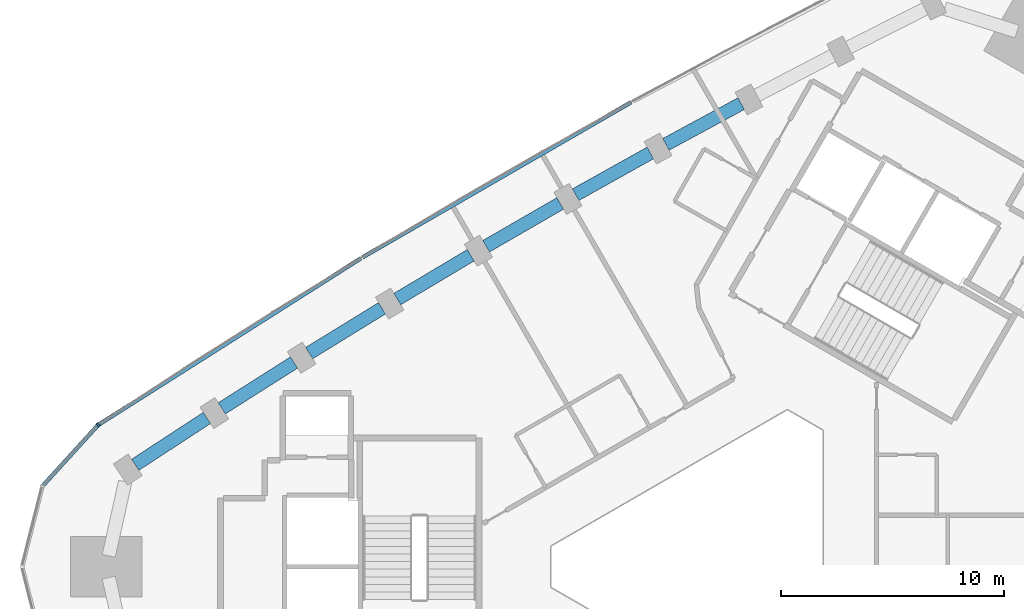
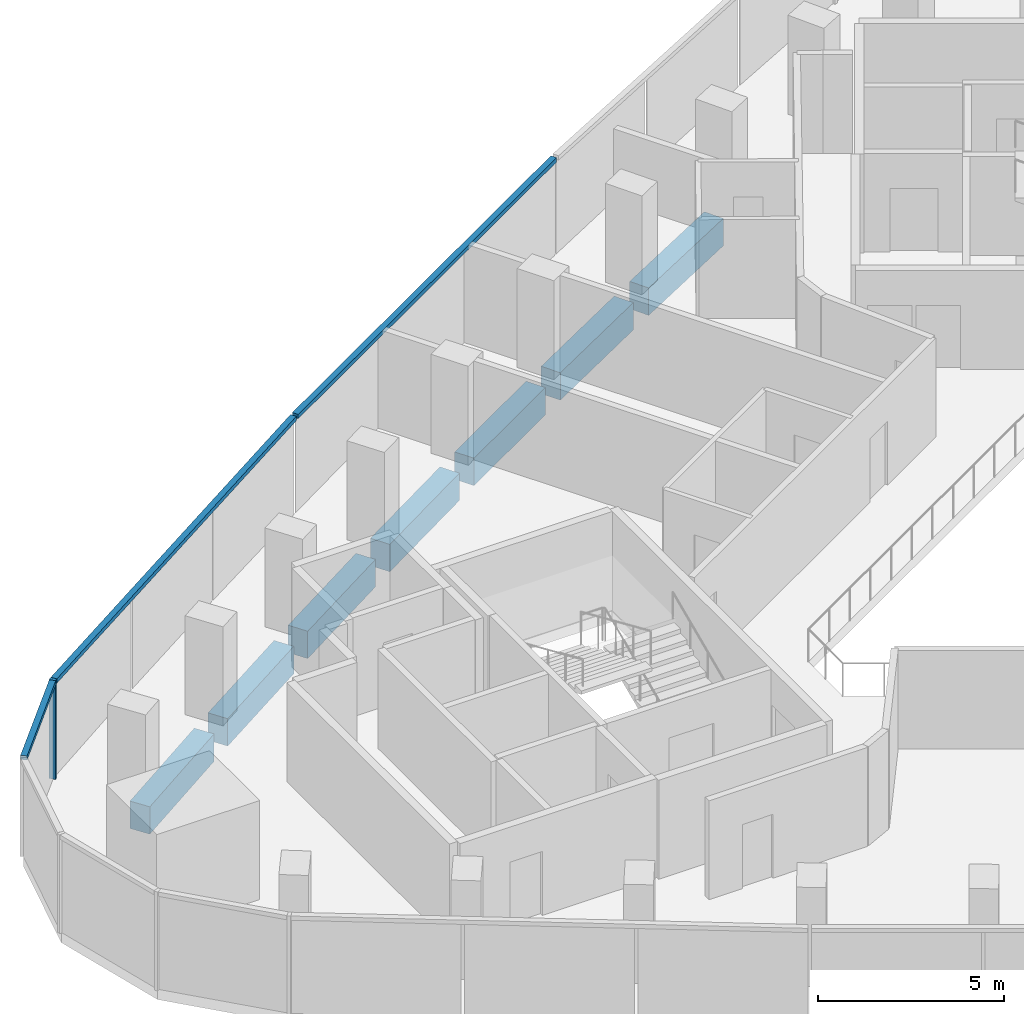
# One storey, part 4 of 11: 7 beams, 4 members, 1 element without a shape of its own.
"""IFC4 building model written with IfcOpenShell, lengths in metres."""

from ifc_helpers import new_model, si_unit, direction, frame, origin, origin_2d, place, context, subcontext, project, spatial, rectangle, extrude, material, material_profile, profile_set, type_object, element, aggregate, save


model = new_model("IFC4")

# Units and contexts
model_context = context("Model", 3, precision=1e-05, world=origin(), true_north=direction((0.0, 1.0)))
body_context = subcontext(model_context, "Body", "Model", "MODEL_VIEW")
ifc_project = project(units=[si_unit("LENGTHUNIT", "METRE"), si_unit("AREAUNIT", "SQUARE_METRE"), si_unit("VOLUMEUNIT", "CUBIC_METRE"), si_unit("PLANEANGLEUNIT", "RADIAN"), si_unit("MASSUNIT", "GRAM", prefix="KILO")], contexts=[model_context])

# Site, building, storey
site_placement = place(None, origin())
site = spatial("IfcSite", under=ifc_project, at=site_placement, CompositionType="ELEMENT")
building_placement = place(site_placement, origin())
building = spatial("IfcBuilding", under=site, at=building_placement, Name="Tamra Quay Hotel Tower", CompositionType="ELEMENT")
storey_placement = place(building_placement, frame((0.0, 0.0, 190.0)))
storey = spatial("IfcBuildingStorey", under=building, at=storey_placement, Name="L47", CompositionType="ELEMENT", Elevation=190.0)

# Curtain wall, member
ifc_material_1 = material(Name="Aluminium 6063 anodised dark grey", Category="aluminium")
curtain_wall_type = type_object("IfcCurtainWallType", Name="CW2 CURTAIN WALL", PredefinedType="NOTDEFINED", material=ifc_material_1)
curtain_wall_placement = place(storey_placement, origin())
curtain_wall = element("IfcCurtainWall", 1, at=curtain_wall_placement, inside=storey, type_object=curtain_wall_type, Name="CW2 north-west face L47", PredefinedType="NOTDEFINED")
ifc_material_profile_1 = material_profile(ifc_material_1, rectangle(XDim=0.179931640625, YDim=0.10009765625, at=origin_2d()), Name="MULLION 100X180")
ifc_profile_set_1 = profile_set([ifc_material_profile_1], Name="Aluminium 6063 anodised dark grey")
member_type_1 = type_object("IfcMemberType", Name="MULLION CW2 Z4", PredefinedType="MULLION", material=ifc_profile_set_1)
member_1_placement = place(storey_placement, frame((-27.928955078125, 6.36376953125, 0.0), z_axis=(0.0, 0.0, 1.0), x_axis=(-0.648381091282, 0.76131593998, 0.0)))
member_1 = element("IfcMember", 2, at=member_1_placement, type_object=member_type_1, Name="CW2 mullion L47.NW.10", PredefinedType="MULLION", context=body_context, shape_type="SweptSolid", body=[
    extrude(rectangle(XDim=0.179931640625, YDim=0.10009765625, at=origin_2d()), origin(), (0.0, 0.0, 1.0), 3.25),
])

# Beams
ifc_material_2 = material(Name="Concrete M60", Category="concrete")
ifc_material_profile_2 = material_profile(ifc_material_2, rectangle(XDim=0.60009765625, YDim=0.89990234375, at=origin_2d()), Name="SPANDREL BEAM RC 600x900")
ifc_profile_set_2 = profile_set([ifc_material_profile_2], Name="Concrete M60")
beam_type = type_object("IfcBeamType", Name="SPANDREL BEAM RC 600x900", PredefinedType="SPANDREL", material=ifc_profile_set_2)
beam_1_placement = place(storey_placement, frame((0.927490234375, 20.77783203125, -0.800048828125), z_axis=(-0.879589264525, -0.475733881211, 0.0), x_axis=(0.475733881211, -0.879589264525, 0.0)))
element("IfcBeam", 3, at=beam_1_placement, inside=storey, type_object=beam_type, Name="BM-SP4-013-L47", PredefinedType="SPANDREL", context=body_context, shape_type="SweptSolid", body=[
    extrude(rectangle(XDim=0.60009765625, YDim=0.89990234375, at=origin_2d()), origin(), (0.0, 0.0, 1.0), 3.838134765625),
])
for number, where, z_axis, x_axis, name in (
    (4, (-3.1494140625, 18.56640625, -0.800048828125), (-0.872890885292, -0.487915466422, 0.0), (0.487915466422, -0.872890885292, 0.0), "BM-SP4-014-L47"),
    (5, (-7.194580078125, 16.298828125, -0.800048828125), (-0.866022424722, -0.500005159851, 0.0), (0.500005159851, -0.866022424722, 0.0), "BM-SP4-015-L47"),
):
    element("IfcBeam", number, at=place(storey_placement, frame(where, z_axis=z_axis, x_axis=x_axis)), inside=storey, type_object=beam_type, Name=name, PredefinedType="SPANDREL", context=body_context, shape_type="SweptSolid", body=[
        extrude(rectangle(XDim=0.60009765625, YDim=0.89990234375, at=origin_2d()), origin(), (0.0, 0.0, 1.0), 3.83740234375),
    ])
beam_2_placement = place(storey_placement, frame((-11.2080078125, 13.975341796875, -0.800048828125), z_axis=(-0.858982487636, -0.512004966708, 0.0), x_axis=(0.512004966708, -0.858982487636, 0.0)))
element("IfcBeam", 6, at=beam_2_placement, inside=storey, type_object=beam_type, Name="BM-SP4-016-L47", PredefinedType="SPANDREL", context=body_context, shape_type="SweptSolid", body=[
    extrude(rectangle(XDim=0.60009765625, YDim=0.89990234375, at=origin_2d()), origin(), (0.0, 0.0, 1.0), 3.837646484375),
])
beam_3_placement = place(storey_placement, frame((-15.188720703125, 11.59619140625, -0.800048828125), z_axis=(-0.851817714835, -0.523838315411, 0.0), x_axis=(0.523838315411, -0.851817714835, 0.0)))
element("IfcBeam", 7, at=beam_3_placement, inside=storey, type_object=beam_type, Name="BM-SP4-017-L47", PredefinedType="SPANDREL", context=body_context, shape_type="SweptSolid", body=[
    extrude(rectangle(XDim=0.60009765625, YDim=0.89990234375, at=origin_2d()), origin(), (0.0, 0.0, 1.0), 3.837890625),
])
for number, where, z_axis, x_axis, name in (
    (8, (-19.136474609375, 9.162109375, -0.800048828125), (-0.844469978785, -0.535602889211, 0.0), (0.535602889211, -0.844469978785, 0.0), "BM-SP4-018-L47"),
    (9, (-23.0498046875, 6.673583984375, -0.800048828125), (-0.836969613974, -0.547249362983, 0.0), (0.547249362983, -0.836969613974, 0.0), "BM-SP4-019-L47"),
):
    element("IfcBeam", number, at=place(storey_placement, frame(where, z_axis=z_axis, x_axis=x_axis)), inside=storey, type_object=beam_type, Name=name, PredefinedType="SPANDREL", context=body_context, shape_type="SweptSolid", body=[
        extrude(rectangle(XDim=0.60009765625, YDim=0.89990234375, at=origin_2d()), origin(), (0.0, 0.0, 1.0), 3.837646484375),
    ])

# Member
ifc_material_profile_3 = material_profile(ifc_material_1, rectangle(XDim=0.179931640625, YDim=0.139892578125, at=origin_2d()), Name="TRANSOM 180X140")
ifc_profile_set_3 = profile_set([ifc_material_profile_3], Name="Aluminium 6063 anodised dark grey")
member_type_2 = type_object("IfcMemberType", Name="TRANSOM CW2 Z4", PredefinedType="USERDEFINED", material=ifc_profile_set_3)
member_2_placement = place(storey_placement, frame((-4.0048828125, 20.85009765625, 3.179931640625), z_axis=(-0.866021948021, -0.50000598551, 0.0), x_axis=(0.50000598551, -0.866021948021, 0.0)))
member_2 = element("IfcMember", 10, at=member_2_placement, type_object=member_type_2, Name="CW2 transom L47.NW.4", ObjectType="TRANSOM", PredefinedType="USERDEFINED", context=body_context, shape_type="SweptSolid", body=[
    extrude(rectangle(XDim=0.179931640625, YDim=0.139892578125, at=origin_2d()), origin(), (0.0, 0.0, 1.0), 13.913330078125),
])

member_3_placement = place(storey_placement, frame((-16.1396484375, 13.841552734375, 3.179931640625), z_axis=(-0.844483603588, -0.535581406764, 0.0), x_axis=(0.535581406764, -0.844483603588, 0.0)))
member_3 = element("IfcMember", 11, at=member_3_placement, type_object=member_type_2, Name="CW2 transom L47.NW.7", ObjectType="TRANSOM", PredefinedType="USERDEFINED", context=body_context, shape_type="SweptSolid", body=[
    extrude(rectangle(XDim=0.179931640625, YDim=0.139892578125, at=origin_2d()), origin(), (0.0, 0.0, 1.0), 13.910888671875),
])

member_4_placement = place(storey_placement, frame((-27.962646484375, 6.32666015625, 3.179931640625), z_axis=(-0.673497359226, -0.739189628658, 0.0), x_axis=(0.739189628658, -0.673497359226, 0.0)))
member_4 = element("IfcMember", 12, at=member_4_placement, type_object=member_type_2, Name="CW2 transom L47.NW.10", ObjectType="TRANSOM", PredefinedType="USERDEFINED", context=body_context, shape_type="SweptSolid", body=[
    extrude(rectangle(XDim=0.179931640625, YDim=0.139892578125, at=origin_2d()), origin(), (0.0, 0.0, 1.0), 3.62353515625),
])

aggregate(curtain_wall, [member_2, member_3, member_1, member_4])

save(model, "model.ifc")
